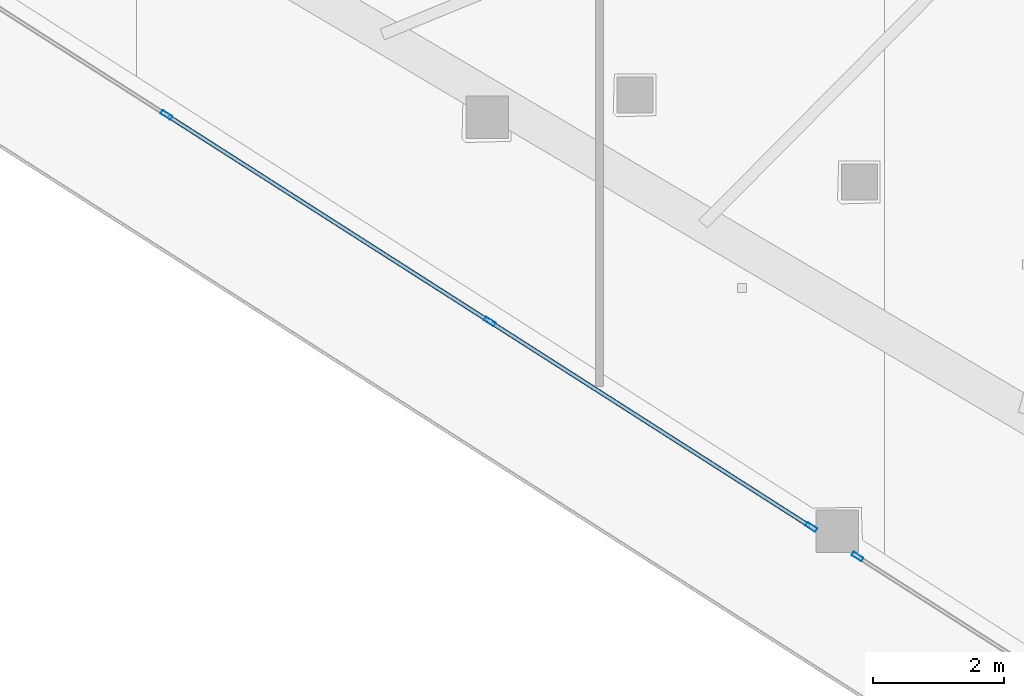
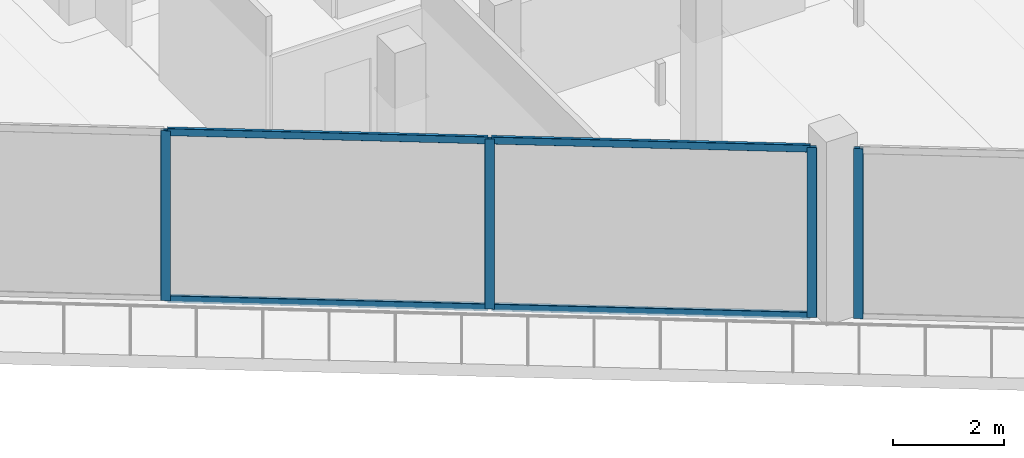
# One storey, part 2 of 36: 8 members, 2 elements without a shape of their own.
"""IFC4 building model written with IfcOpenShell, lengths in metres."""

from ifc_helpers import new_model, si_unit, direction, frame, origin, origin_2d, place, context, subcontext, project, spatial, hollow_rectangle, extrude, material, layer, layer_set, material_profile, profile_set, type_object, element, aggregate, save


model = new_model("IFC4")

# Units and contexts
model_context = context("Model", 3, precision=1e-05, world=origin(), true_north=direction((0.0, 1.0)))
body_context = subcontext(model_context, "Body", "Model", "MODEL_VIEW")
ifc_project = project(units=[si_unit("LENGTHUNIT", "METRE"), si_unit("AREAUNIT", "SQUARE_METRE"), si_unit("VOLUMEUNIT", "CUBIC_METRE"), si_unit("PLANEANGLEUNIT", "RADIAN"), si_unit("MASSUNIT", "GRAM", prefix="KILO")], contexts=[model_context])

# Site, building, storey
site_placement = place(None, origin())
site = spatial("IfcSite", under=ifc_project, at=site_placement, CompositionType="ELEMENT")
building_placement = place(site_placement, origin())
building = spatial("IfcBuilding", under=site, at=building_placement, Name="Qorvath Tower", CompositionType="ELEMENT")
storey_placement = place(building_placement, frame((0.0, 0.0, 170.550048828125)))
storey = spatial("IfcBuildingStorey", under=building, at=storey_placement, Name="L39", CompositionType="ELEMENT", Elevation=170.550048828125)

# Curtain wall, members
ifc_material_1 = material(Name="Anodised aluminium and triple low-E glass", Category="aluminium")
ifc_layer = layer(ifc_material_1, 0.179931640625)
ifc_layer_set = layer_set([ifc_layer], Name="CW-SYS-3")
curtain_wall_type = type_object("IfcCurtainWallType", Name="CW-SYS-3", PredefinedType="NOTDEFINED", material=ifc_layer_set)
curtain_wall_1_placement = place(storey_placement, origin())
curtain_wall_1 = element("IfcCurtainWall", 1, at=curtain_wall_1_placement, inside=storey, type_object=curtain_wall_type, Name="Curtain Wall CW-3 CW-T-L39-2.1", PredefinedType="NOTDEFINED")
ifc_material_2 = material(Name="Anodised aluminium 6063-T6", Category="aluminium")
ifc_material_profile_1 = material_profile(ifc_material_2, hollow_rectangle(XDim=0.06494140625, YDim=0.179931640625, WallThickness=0.00341796875, InnerFilletRadius=0.00341796875, OuterFilletRadius=0.007080078125, at=origin_2d()), Name="CWM 180x65")
ifc_profile_set_1 = profile_set([ifc_material_profile_1], Name="Anodised aluminium 6063-T6")
member_type_1 = type_object("IfcMemberType", Name="CWM-180", PredefinedType="MULLION", material=ifc_profile_set_1)
member_1_placement = place(storey_placement, frame((-41.26416015625, -13.1005859375, 0.0), z_axis=(0.0, 0.0, 1.0), x_axis=(0.538529198867, 0.842606848992, 0.0)))
member_1 = element("IfcMember", 2, at=member_1_placement, type_object=member_type_1, Name="CW-3 mullion 4", PredefinedType="MULLION", context=body_context, shape_type="SweptSolid", body=[
    extrude(hollow_rectangle(XDim=0.06494140625, YDim=0.179931640625, WallThickness=0.00341796875, InnerFilletRadius=0.00341796875, OuterFilletRadius=0.007080078125, at=origin_2d()), origin(), (0.0, 0.0, 1.0), 3.75),
])
member_2_placement = place(storey_placement, frame((-36.324951171875, -16.257080078125, 0.0), z_axis=(0.0, 0.0, 1.0), x_axis=(0.538529198867, 0.842606848992, 0.0)))
member_2 = element("IfcMember", 3, at=member_2_placement, type_object=member_type_1, Name="CW-3 mullion 5", PredefinedType="MULLION", context=body_context, shape_type="SweptSolid", body=[
    extrude(hollow_rectangle(XDim=0.06494140625, YDim=0.179931640625, WallThickness=0.00341796875, InnerFilletRadius=0.00341796875, OuterFilletRadius=0.007080078125, at=origin_2d()), origin(), (0.0, 0.0, 1.0), 3.75),
])
member_3_placement = place(storey_placement, frame((-31.413330078125, -19.396240234375, 0.0), z_axis=(0.0, 0.0, 1.0), x_axis=(0.538529198867, 0.842606848992, 0.0)))
member_3 = element("IfcMember", 4, at=member_3_placement, type_object=member_type_1, Name="CW-3 mullion 6", PredefinedType="MULLION", context=body_context, shape_type="SweptSolid", body=[
    extrude(hollow_rectangle(XDim=0.06494140625, YDim=0.179931640625, WallThickness=0.00341796875, InnerFilletRadius=0.00341796875, OuterFilletRadius=0.007080078125, at=origin_2d()), origin(), (0.0, 0.0, 1.0), 3.75),
])

# Curtain wall, member
curtain_wall_2_placement = place(storey_placement, origin())
curtain_wall_2 = element("IfcCurtainWall", 5, at=curtain_wall_2_placement, inside=storey, type_object=curtain_wall_type, Name="Curtain Wall CW-3 CW-T-L39-2.2", PredefinedType="NOTDEFINED")
member_4_placement = place(storey_placement, frame((-30.706787109375, -19.847900390625, 0.0), z_axis=(0.0, 0.0, 1.0), x_axis=(0.53853443311, 0.842603503645, 0.0)))
member_4 = element("IfcMember", 6, at=member_4_placement, type_object=member_type_1, Name="CW-3 mullion 1", PredefinedType="MULLION", context=body_context, shape_type="SweptSolid", body=[
    extrude(hollow_rectangle(XDim=0.06494140625, YDim=0.179931640625, WallThickness=0.00341796875, InnerFilletRadius=0.00341796875, OuterFilletRadius=0.007080078125, at=origin_2d()), origin(), (0.0, 0.0, 1.0), 3.75),
])
aggregate(curtain_wall_2, [member_4])

# Member
ifc_material_3 = material(Name="Anodised aluminium 6063-T6", Category="aluminium")
ifc_material_profile_2 = material_profile(ifc_material_3, hollow_rectangle(XDim=0.06494140625, YDim=0.159912109375, WallThickness=0.00341796875, InnerFilletRadius=0.00341796875, OuterFilletRadius=0.007080078125, at=origin_2d()), Name="CWT 160x65")
ifc_profile_set_2 = profile_set([ifc_material_profile_2], Name="Anodised aluminium 6063-T6")
member_type_2 = type_object("IfcMemberType", Name="CWT-160", PredefinedType="USERDEFINED", material=ifc_profile_set_2)
member_5_placement = place(storey_placement, frame((-41.236572265625, -13.117919921875, 0.032470703125), z_axis=(0.842593271149, -0.538550442776, 0.0), x_axis=(0.538550442776, 0.842593271149, 0.0)))
member_5 = element("IfcMember", 7, at=member_5_placement, type_object=member_type_2, Name="CW-3 transom 4.1", ObjectType="TRANSOM", PredefinedType="USERDEFINED", context=body_context, shape_type="SweptSolid", body=[
    extrude(hollow_rectangle(XDim=0.06494140625, YDim=0.159912109375, WallThickness=0.00341796875, InnerFilletRadius=0.00341796875, OuterFilletRadius=0.007080078125, at=origin_2d()), origin(), (0.0, 0.0, 1.0), 5.796630859375),
])

member_6_placement = place(storey_placement, frame((-41.236572265625, -13.117919921875, 3.717529296875), z_axis=(0.842593271149, -0.538550442776, 0.0), x_axis=(0.538550442776, 0.842593271149, 0.0)))
member_6 = element("IfcMember", 8, at=member_6_placement, type_object=member_type_2, Name="CW-3 transom 4.2", ObjectType="TRANSOM", PredefinedType="USERDEFINED", context=body_context, shape_type="SweptSolid", body=[
    extrude(hollow_rectangle(XDim=0.06494140625, YDim=0.159912109375, WallThickness=0.00341796875, InnerFilletRadius=0.00341796875, OuterFilletRadius=0.007080078125, at=origin_2d()), origin(), (0.0, 0.0, 1.0), 5.796630859375),
])

member_7_placement = place(storey_placement, frame((-36.297607421875, -16.274658203125, 0.032470703125), z_axis=(0.842601233271, -0.538537985374, 0.0), x_axis=(0.538537985374, 0.842601233271, 0.0)))
member_7 = element("IfcMember", 9, at=member_7_placement, type_object=member_type_2, Name="CW-3 transom 5.1", ObjectType="TRANSOM", PredefinedType="USERDEFINED", context=body_context, shape_type="SweptSolid", body=[
    extrude(hollow_rectangle(XDim=0.06494140625, YDim=0.159912109375, WallThickness=0.00341796875, InnerFilletRadius=0.00341796875, OuterFilletRadius=0.007080078125, at=origin_2d()), origin(), (0.0, 0.0, 1.0), 5.76416015625),
])

member_8_placement = place(storey_placement, frame((-36.297607421875, -16.274658203125, 3.717529296875), z_axis=(0.842601233271, -0.538537985374, 0.0), x_axis=(0.538537985374, 0.842601233271, 0.0)))
member_8 = element("IfcMember", 10, at=member_8_placement, type_object=member_type_2, Name="CW-3 transom 5.2", ObjectType="TRANSOM", PredefinedType="USERDEFINED", context=body_context, shape_type="SweptSolid", body=[
    extrude(hollow_rectangle(XDim=0.06494140625, YDim=0.159912109375, WallThickness=0.00341796875, InnerFilletRadius=0.00341796875, OuterFilletRadius=0.007080078125, at=origin_2d()), origin(), (0.0, 0.0, 1.0), 5.76416015625),
])

aggregate(curtain_wall_1, [member_1, member_2, member_3, member_5, member_6, member_7, member_8])

save(model, "model.ifc")
